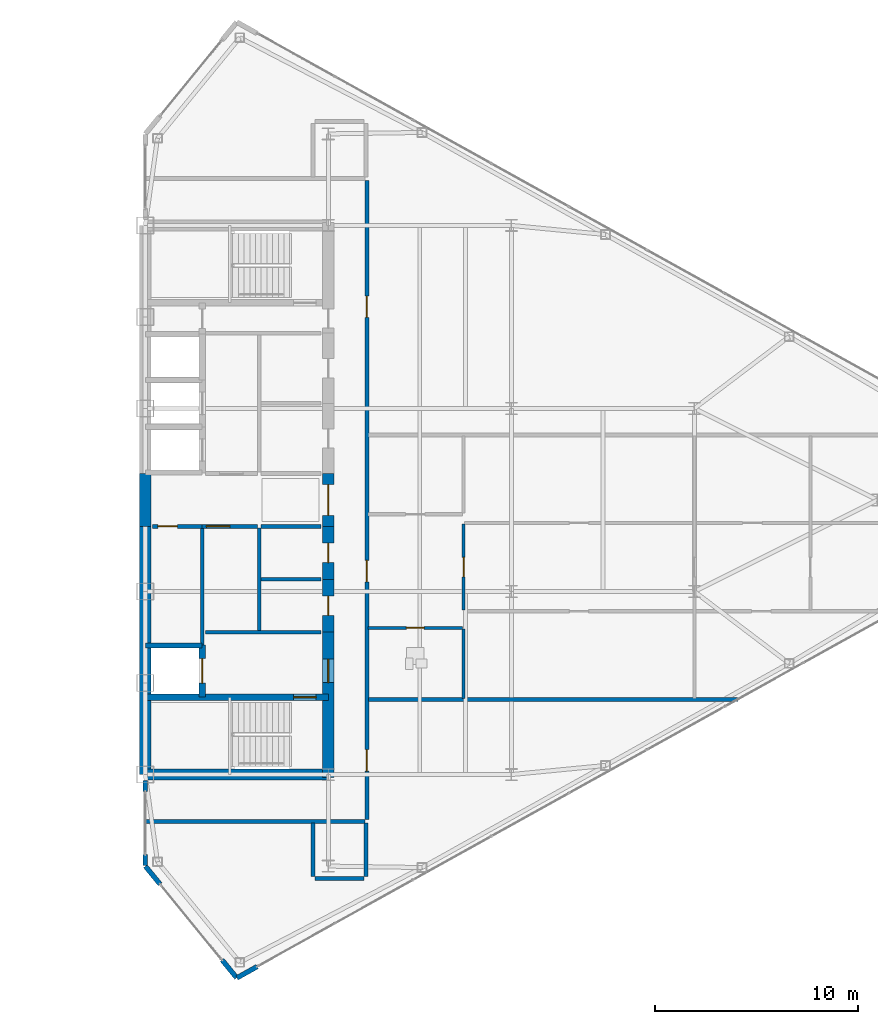
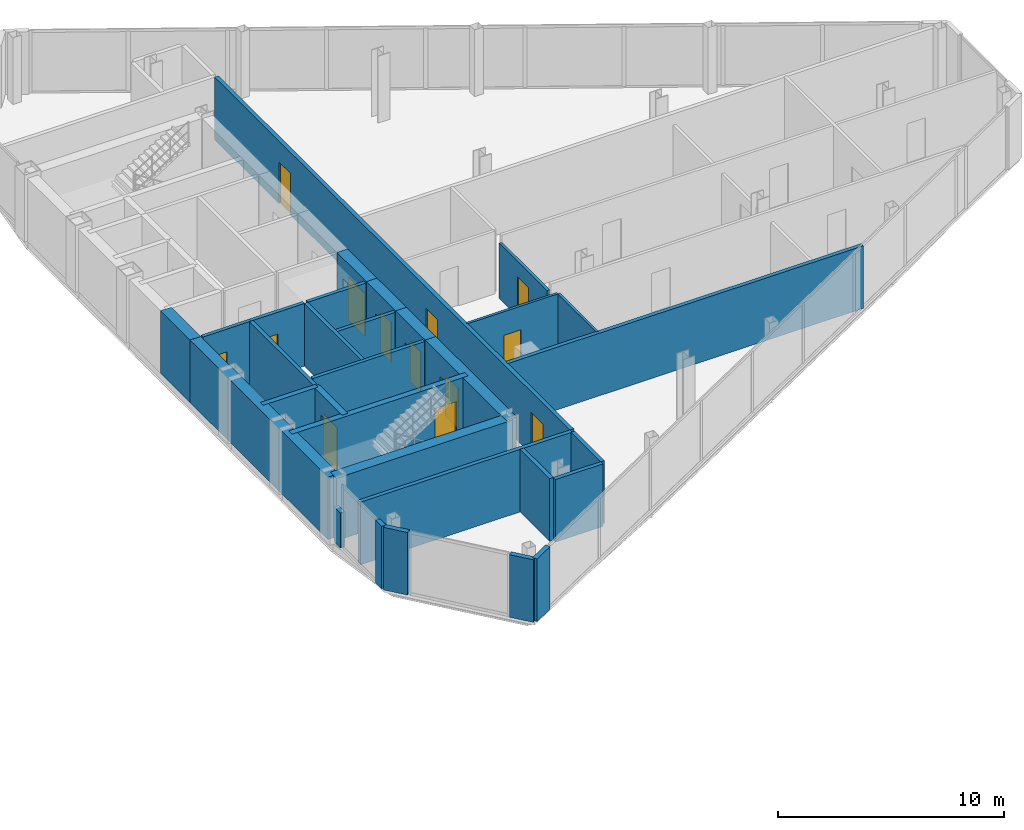
# One storey, part 21 of 26: 31 walls, 13 doors, 13 openings.
"""IFC4 building model written with IfcOpenShell, lengths in metres."""

from ifc_helpers import new_model, si_unit, direction, frame, frame_2d, origin, place, context, subcontext, project, spatial, rectangle, extrude, source, transform, mapped, material, layer, layer_set, type_object, type_shapes, element, fill, save


model = new_model("IFC4")

# Units and contexts
model_context = context("Model", 3, precision=1e-05, world=origin(), true_north=direction((0.0, 1.0)))
body_context = subcontext(model_context, "Body", "Model", "MODEL_VIEW")
ifc_project = project(units=[si_unit("LENGTHUNIT", "METRE"), si_unit("AREAUNIT", "SQUARE_METRE"), si_unit("VOLUMEUNIT", "CUBIC_METRE"), si_unit("PLANEANGLEUNIT", "RADIAN"), si_unit("MASSUNIT", "GRAM", prefix="KILO")], contexts=[model_context])

# Site, building, storey
site_placement = place(None, origin())
site = spatial("IfcSite", under=ifc_project, at=site_placement, CompositionType="ELEMENT")
building_placement = place(site_placement, origin())
building = spatial("IfcBuilding", under=site, at=building_placement, Name="Seokmaru Belvedere", CompositionType="ELEMENT")
storey_placement = place(building_placement, frame((0.0, 0.0, 192.300048828125)))
storey = spatial("IfcBuildingStorey", under=building, at=storey_placement, Name="L51", CompositionType="ELEMENT", Elevation=192.300048828125)

# Wall, opening, door
ifc_material_1 = material(Name="Fire-Rated Gypsum Shaftwall")
ifc_layer_1 = layer(ifc_material_1, 0.14990234375)
ifc_layer_set_1 = layer_set([ifc_layer_1], Name="Fire-Rated Gypsum Shaftwall")
wall_type_1 = type_object("IfcWallType", Name="Apartment Fire-Acoustic Room Partition 150", PredefinedType="PARTITIONING", material=ifc_layer_set_1)
wall_1_placement = place(storey_placement, frame((43.14990234375, -5.4169921875, 0.0), z_axis=(0.0, 0.0, 1.0), x_axis=(0.0, 1.0, 0.0)))
wall_1 = element("IfcWall", 1, at=wall_1_placement, inside=storey, type_object=wall_type_1, Name="L51 Interior Partition 036", PredefinedType="PARTITIONING", context=body_context, shape_type="SweptSolid", body=[
    extrude(rectangle(XDim=4.23388671875, YDim=0.14990234375, at=frame_2d((2.116943359375, 0.0))), origin(), (0.0, 0.0, 1.0), 2.989990234375),
])
opening_1_placement = place(wall_1_placement, frame((1.64208984375, 0.0, 0.0)))
opening_1 = element("IfcOpeningElement", 2, at=opening_1_placement, cuts=wall_1, Name="Opening D05", PredefinedType="OPENING", context=body_context, shape_type="SweptSolid", body=[
    extrude(rectangle(XDim=0.949951171875, YDim=2.14990234375, at=frame_2d((0.47509765625, 1.074951171875))), frame((0.0, 0.0849609375, 0.0), z_axis=(0.0, -1.0, 0.0), x_axis=(1.0, 0.0, 0.0)), (0.0, 0.0, 1.0), 0.169921875),
])
ifc_material_2 = material(Name="Engineered White Oak Timber", Category="wood")
door_type_1 = type_object("IfcDoorType", Name="Apartment Interior Fire-Rated Oak Door 950x2150", OperationType="NOTDEFINED", PredefinedType="DOOR", material=ifc_material_2)
shared_shape_1 = source(origin(), body_context, "Body", "SweptSolid", [
    extrude(rectangle(XDim=0.949951171875, YDim=2.14990234375, at=frame_2d((0.47509765625, 1.074951171875))), frame((0.0, 0.02490234375, 0.0), z_axis=(0.0, -1.0, 0.0), x_axis=(1.0, 0.0, 0.0)), (0.0, 0.0, 1.0), 0.050048828125),
])
type_shapes(door_type_1, [shared_shape_1])
door_1_placement = place(opening_1_placement, origin())
door_1 = element("IfcDoor", 3, at=door_1_placement, inside=storey, type_object=door_type_1, Name="L51 Interior Door 017", OperationType="SINGLE_SWING_LEFT", OverallHeight=2.14990234375, OverallWidth=0.949951171875, PredefinedType="DOOR", context=body_context, shape_type="MappedRepresentation", body=[
    mapped(shared_shape_1, transform((0.0, 0.0, 0.0), scale=1.0)),
])
fill(opening_1, door_1)

# Walls
ifc_layer_2 = layer(ifc_material_1, 0.179931640625)
ifc_layer_set_2 = layer_set([ifc_layer_2], Name="Fire-Rated Gypsum Shaftwall")
wall_type_2 = type_object("IfcWallType", Name="Core Service Fire Partition 180", PredefinedType="PARTITIONING", material=ifc_layer_set_2)
wall_2_placement = place(storey_placement, frame((30.449951171875, -6.5, 0.0), z_axis=(0.0, 0.0, 1.0), x_axis=(1.0, 0.0, 0.0)))
element("IfcWall", 4, at=wall_2_placement, inside=storey, type_object=wall_type_2, Name="L51 East Firefighting Lobby Partition", PredefinedType="PARTITIONING", context=body_context, shape_type="SweptSolid", body=[
    extrude(rectangle(XDim=5.699951171875, YDim=0.179931640625, at=frame_2d((2.85009765625, 0.0))), origin(), (0.0, 0.0, 1.0), 3.3798828125),
])
wall_3_placement = place(storey_placement, frame((33.10009765625, -6.419921875, 0.0), z_axis=(0.0, 0.0, 1.0), x_axis=(0.0, 1.0, 0.0)))
element("IfcWall", 5, at=wall_3_placement, inside=storey, type_object=wall_type_2, Name="L51 East South Core Service Back Wall", PredefinedType="PARTITIONING", context=body_context, shape_type="SweptSolid", body=[
    extrude(rectangle(XDim=5.0400390625, YDim=0.179931640625, at=frame_2d((2.52001953125, 0.0))), origin(), (0.0, 0.0, 1.0), 3.3798828125),
])

# Wall, opening, door
wall_4_placement = place(storey_placement, frame((27.85009765625, -1.300048828125, 0.0), z_axis=(0.0, 0.0, 1.0), x_axis=(1.0, 0.0, 0.0)))
wall_4 = element("IfcWall", 6, at=wall_4_placement, inside=storey, type_object=wall_type_2, Name="L51 East South Parcel Vault Foyer Wall", PredefinedType="PARTITIONING", context=body_context, shape_type="SweptSolid", body=[
    extrude(rectangle(XDim=2.449951171875, YDim=0.179931640625, at=frame_2d((1.22509765625, 0.0))), origin(), (0.0, 0.0, 1.0), 3.3798828125),
])
opening_2_placement = place(wall_4_placement, frame((0.27490234375, 0.0, 0.0)))
opening_2 = element("IfcOpeningElement", 7, at=opening_2_placement, cuts=wall_4, Name="Opening D04", PredefinedType="OPENING", context=body_context, shape_type="SweptSolid", body=[
    extrude(rectangle(XDim=0.949951171875, YDim=2.14990234375, at=frame_2d((0.47509765625, 1.074951171875))), frame((0.0, 0.10009765625, 0.0), z_axis=(0.0, -1.0, 0.0), x_axis=(1.0, 0.0, 0.0)), (0.0, 0.0, 1.0), 0.199951171875),
])
ifc_material_3 = material(Name="Fire-Rated Steel Leaf", Category="steel")
door_type_2 = type_object("IfcDoorType", Name="Core Service Room Fire Door 950x2150", OperationType="NOTDEFINED", PredefinedType="DOOR", material=ifc_material_3)
shared_shape_2 = source(origin(), body_context, "Body", "SweptSolid", [
    extrude(rectangle(XDim=0.949951171875, YDim=2.14990234375, at=frame_2d((0.47509765625, 1.074951171875))), frame((0.0, 0.02490234375, 0.0), z_axis=(0.0, -1.0, 0.0), x_axis=(1.0, 0.0, 0.0)), (0.0, 0.0, 1.0), 0.050048828125),
])
type_shapes(door_type_2, [shared_shape_2])
door_2_placement = place(opening_2_placement, origin())
door_2 = element("IfcDoor", 8, at=door_2_placement, inside=storey, type_object=door_type_2, Name="L51 East South Parcel Vault Door", OperationType="SINGLE_SWING_RIGHT", OverallHeight=2.14990234375, OverallWidth=0.949951171875, PredefinedType="DOOR", context=body_context, shape_type="MappedRepresentation", body=[
    mapped(shared_shape_2, transform((0.0, 0.0, 0.0), scale=1.0)),
])
fill(opening_2, door_2)

wall_5_placement = place(storey_placement, frame((30.300048828125, -1.300048828125, 0.0), z_axis=(0.0, 0.0, 1.0), x_axis=(1.0, 0.0, 0.0)))
wall_5 = element("IfcWall", 9, at=wall_5_placement, inside=storey, type_object=wall_type_2, Name="L51 East South Wine Cellar Foyer Wall", PredefinedType="PARTITIONING", context=body_context, shape_type="SweptSolid", body=[
    extrude(rectangle(XDim=2.719970703125, YDim=0.179931640625, at=frame_2d((1.35986328125, 0.0))), origin(), (0.0, 0.0, 1.0), 3.3798828125),
])
opening_3_placement = place(wall_5_placement, frame((0.2099609375, 0.0, 0.0)))
opening_3 = element("IfcOpeningElement", 10, at=opening_3_placement, cuts=wall_5, Name="Opening D02", PredefinedType="OPENING", context=body_context, shape_type="SweptSolid", body=[
    extrude(rectangle(XDim=1.14990234375, YDim=2.199951171875, at=frame_2d((0.574951171875, 1.10009765625))), frame((0.0, 0.10009765625, 0.0), z_axis=(0.0, -1.0, 0.0), x_axis=(1.0, 0.0, 0.0)), (0.0, 0.0, 1.0), 0.199951171875),
])
door_type_3 = type_object("IfcDoorType", Name="Lobby and Vestibule Fire Door 1150x2200", OperationType="NOTDEFINED", PredefinedType="DOOR", material=ifc_material_3)
shared_shape_3 = source(origin(), body_context, "Body", "SweptSolid", [
    extrude(rectangle(XDim=1.14990234375, YDim=2.199951171875, at=frame_2d((0.574951171875, 1.10009765625))), frame((0.0, 0.02490234375, 0.0), z_axis=(0.0, -1.0, 0.0), x_axis=(1.0, 0.0, 0.0)), (0.0, 0.0, 1.0), 0.050048828125),
])
type_shapes(door_type_3, [shared_shape_3])
door_3_placement = place(opening_3_placement, origin())
door_3 = element("IfcDoor", 11, at=door_3_placement, inside=storey, type_object=door_type_3, Name="L51 East South Core Foyer Door", OperationType="SINGLE_SWING_RIGHT", OverallHeight=2.199951171875, OverallWidth=1.14990234375, PredefinedType="DOOR", context=body_context, shape_type="MappedRepresentation", body=[
    mapped(shared_shape_3, transform((0.0, 0.0, 0.0), scale=1.0)),
])
fill(opening_3, door_3)

# Walls
wall_6_placement = place(storey_placement, frame((30.300048828125, -7.1201171875, 0.0), z_axis=(0.0, 0.0, 1.0), x_axis=(0.0, 1.0, 0.0)))
element("IfcWall", 12, at=wall_6_placement, inside=storey, type_object=wall_type_2, Name="L51 East Freed Shaft Vault Partition", PredefinedType="PARTITIONING", context=body_context, shape_type="SweptSolid", body=[
    extrude(rectangle(XDim=5.740234375, YDim=0.179931640625, at=frame_2d((2.8701171875, 0.0))), origin(), (0.0, 0.0, 1.0), 3.3798828125),
])
for number, where, z_axis, x_axis, name in (
    (13, (33.199951171875, -1.300048828125, 0.0), (0.0, 0.0, 1.0), (1.0, 0.0, 0.0), "L51 East Foyer Side Wall S"),
    (14, (33.199951171875, -3.89990234375, 0.0), (0.0, 0.0, 1.0), (1.0, 0.0, 0.0), "L51 East Core Service Partition 1"),
):
    element("IfcWall", number, at=place(storey_placement, frame(where, z_axis=z_axis, x_axis=x_axis)), inside=storey, type_object=wall_type_2, Name=name, PredefinedType="PARTITIONING", context=body_context, shape_type="SweptSolid", body=[
        extrude(rectangle(XDim=2.949951171875, YDim=0.179931640625, at=frame_2d((1.47509765625, 0.0))), origin(), (0.0, 0.0, 1.0), 3.3798828125),
    ])
ifc_material_4 = material(Name="Concrete C50 (50 MPa)", Category="concrete")
ifc_layer_3 = layer(ifc_material_4, 0.25)
ifc_layer_set_3 = layer_set([ifc_layer_3], Name="Concrete C50 (50 MPa)")
wall_type_3 = type_object("IfcWallType", Name="Hoistway Transverse Concrete Divider Wall 250", PredefinedType="SHEAR", material=ifc_layer_set_3)
wall_7_placement = place(storey_placement, frame((27.5, -7.14990234375, 0.0), z_axis=(0.0, 0.0, 1.0), x_axis=(1.0, 0.0, 0.0)))
element("IfcWall", 15, at=wall_7_placement, inside=storey, type_object=wall_type_3, Name="L51 East Hoistway Divider Core Wall 1", PredefinedType="SHEAR", context=body_context, shape_type="SweptSolid", body=[
    extrude(rectangle(XDim=2.800048828125, YDim=0.25, at=frame_2d((1.39990234375, 0.0))), origin(), (0.0, 0.0, 1.0), 3.3798828125),
])
ifc_layer_4 = layer(ifc_material_1, 0.199951171875)
ifc_layer_set_4 = layer_set([ifc_layer_4], Name="Fire-Rated Gypsum Shaftwall")
wall_type_4 = type_object("IfcWallType", Name="Inter-Tenancy Fire Compartment Partition 200", PredefinedType="PARTITIONING", material=ifc_layer_set_4)
wall_8_placement = place(storey_placement, frame((35.8349609375, -18.60009765625, 0.0), z_axis=(0.0, 0.0, 1.0), x_axis=(1.0, 0.0, 0.0)))
element("IfcWall", 16, at=wall_8_placement, inside=storey, type_object=wall_type_4, Name="L51 Interior Partition 002", PredefinedType="PARTITIONING", context=body_context, shape_type="SweptSolid", body=[
    extrude(rectangle(XDim=2.429931640625, YDim=0.199951171875, at=frame_2d((1.21484375, 0.0))), origin(), (0.0, 0.0, 1.0), 3.3798828125),
])
wall_9_placement = place(storey_placement, frame((27.5, -15.800048828125, 0.0), z_axis=(0.0, 0.0, 1.0), x_axis=(1.0, 0.0, 0.0)))
element("IfcWall", 17, at=wall_9_placement, inside=storey, type_object=wall_type_4, Name="L51 Interior Partition 004", PredefinedType="PARTITIONING", context=body_context, shape_type="SweptSolid", body=[
    extrude(rectangle(XDim=10.81494140625, YDim=0.199951171875, at=frame_2d((5.407470703125, 0.0))), origin(), (0.0, 0.0, 1.0), 3.3798828125),
])
wall_10_placement = place(storey_placement, frame((38.47998046875, -9.800048828125, 0.0), z_axis=(0.0, 0.0, 1.0), x_axis=(1.0, 0.0, 0.0)))
element("IfcWall", 18, at=wall_10_placement, inside=storey, type_object=wall_type_4, Name="L51 Interior Partition 005", PredefinedType="PARTITIONING", context=body_context, shape_type="SweptSolid", body=[
    extrude(rectangle(XDim=18.1630859375, YDim=0.199951171875, at=frame_2d((9.08154296875, 0.0))), origin(), (0.0, 0.0, 1.0), 3.3798828125),
])
for number, where, z_axis, x_axis, name in (
    (19, (35.75, -18.514892578125, 0.0), (0.0, 0.0, 1.0), (0.0, 1.0, 0.0), "L51 Interior Partition 030"),
    (20, (38.35009765625, -18.514892578125, 0.0), (0.0, 0.0, 1.0), (0.0, 1.0, 0.0), "L51 Interior Partition 032"),
):
    element("IfcWall", number, at=place(storey_placement, frame(where, z_axis=z_axis, x_axis=x_axis)), inside=storey, type_object=wall_type_4, Name=name, PredefinedType="PARTITIONING", context=body_context, shape_type="SweptSolid", body=[
        extrude(rectangle(XDim=2.6298828125, YDim=0.199951171875, at=frame_2d((1.31494140625, 0.0))), origin(), (0.0, 0.0, 1.0), 3.3798828125),
    ])

# Wall, openings, doors
wall_11_placement = place(storey_placement, frame((38.39990234375, -15.715087890625, 0.0), z_axis=(0.0, 0.0, 1.0), x_axis=(0.0, 1.0, 0.0)))
wall_11 = element("IfcWall", 21, at=wall_11_placement, inside=storey, type_object=wall_type_4, Name="L51 Interior Partition 034", PredefinedType="PARTITIONING", context=body_context, shape_type="SweptSolid", body=[
    extrude(rectangle(XDim=31.43017578125, YDim=0.199951171875, at=frame_2d((15.715087890625, 0.0))), origin(), (0.0, 0.0, 1.0), 3.3798828125),
])
opening_4_placement = place(wall_11_placement, frame((2.389892578125, 0.0, 0.0)))
opening_4 = element("IfcOpeningElement", 22, at=opening_4_placement, cuts=wall_11, Name="Opening D03", PredefinedType="OPENING", context=body_context, shape_type="SweptSolid", body=[
    extrude(rectangle(XDim=1.050048828125, YDim=2.25, at=frame_2d((0.52490234375, 1.125))), frame((0.0, 0.10986328125, 0.0), z_axis=(0.0, -1.0, 0.0), x_axis=(1.0, 0.0, 0.0)), (0.0, 0.0, 1.0), 0.219970703125),
])
opening_5_placement = place(wall_11_placement, frame((11.695068359375, 0.0, 0.0)))
opening_5 = element("IfcOpeningElement", 23, at=opening_5_placement, cuts=wall_11, Name="Opening D03", PredefinedType="OPENING", context=body_context, shape_type="SweptSolid", body=[
    extrude(rectangle(XDim=1.050048828125, YDim=2.25, at=frame_2d((0.52490234375, 1.125))), frame((0.0, 0.10986328125, 0.0), z_axis=(0.0, -1.0, 0.0), x_axis=(1.0, 0.0, 0.0)), (0.0, 0.0, 1.0), 0.219970703125),
])
opening_6_placement = place(wall_11_placement, frame((24.68994140625, 0.0, 0.0)))
opening_6 = element("IfcOpeningElement", 24, at=opening_6_placement, cuts=wall_11, Name="Opening D03", PredefinedType="OPENING", context=body_context, shape_type="SweptSolid", body=[
    extrude(rectangle(XDim=1.050048828125, YDim=2.25, at=frame_2d((0.52490234375, 1.125))), frame((0.0, 0.10986328125, 0.0), z_axis=(0.0, -1.0, 0.0), x_axis=(1.0, 0.0, 0.0)), (0.0, 0.0, 1.0), 0.219970703125),
])
door_type_4 = type_object("IfcDoorType", Name="Apartment Entrance Fire Door 1050x2250", OperationType="NOTDEFINED", PredefinedType="DOOR", material=ifc_material_3)
shared_shape_4 = source(origin(), body_context, "Body", "SweptSolid", [
    extrude(rectangle(XDim=1.050048828125, YDim=2.25, at=frame_2d((0.52490234375, 1.125))), frame((0.0, 0.02490234375, 0.0), z_axis=(0.0, -1.0, 0.0), x_axis=(1.0, 0.0, 0.0)), (0.0, 0.0, 1.0), 0.050048828125),
])
type_shapes(door_type_4, [shared_shape_4])
door_4_placement = place(opening_4_placement, origin())
door_4 = element("IfcDoor", 25, at=door_4_placement, inside=storey, type_object=door_type_4, Name="L51 Interior Door 013", OperationType="SINGLE_SWING_LEFT", OverallHeight=2.25, OverallWidth=1.050048828125, PredefinedType="DOOR", context=body_context, shape_type="MappedRepresentation", body=[
    mapped(shared_shape_4, transform((0.0, 0.0, 0.0), scale=1.0)),
])
fill(opening_4, door_4)
door_5_placement = place(opening_5_placement, origin())
door_5 = element("IfcDoor", 26, at=door_5_placement, inside=storey, type_object=door_type_4, Name="L51 Interior Door 014", OperationType="SINGLE_SWING_RIGHT", OverallHeight=2.25, OverallWidth=1.050048828125, PredefinedType="DOOR", context=body_context, shape_type="MappedRepresentation", body=[
    mapped(shared_shape_4, transform((0.0, 0.0, 0.0), scale=1.0)),
])
fill(opening_5, door_5)
door_6_placement = place(opening_6_placement, origin())
door_6 = element("IfcDoor", 27, at=door_6_placement, inside=storey, type_object=door_type_4, Name="L51 Interior Door 025", OperationType="SINGLE_SWING_LEFT", OverallHeight=2.25, OverallWidth=1.050048828125, PredefinedType="DOOR", context=body_context, shape_type="MappedRepresentation", body=[
    mapped(shared_shape_4, transform((0.0, 0.0, 0.0), scale=1.0)),
])
fill(opening_6, door_6)

# Wall, opening, door
ifc_layer_5 = layer(ifc_material_4, 0.300048828125)
ifc_layer_set_5 = layer_set([ifc_layer_5], Name="Concrete C50 (50 MPa)")
wall_type_5 = type_object("IfcWallType", Name="Internal Core Stair and Hoistway Wall 300", PredefinedType="SHEAR", material=ifc_layer_set_5)
wall_12_placement = place(storey_placement, frame((27.5, -9.699951171875, 0.0), z_axis=(0.0, 0.0, 1.0), x_axis=(1.0, 0.0, 0.0)))
wall_12 = element("IfcWall", 28, at=wall_12_placement, inside=storey, type_object=wall_type_5, Name="L51 East Stair ST-1 Enclosure Wall", PredefinedType="SHEAR", context=body_context, shape_type="SweptSolid", body=[
    extrude(rectangle(XDim=9.0, YDim=0.300048828125, at=frame_2d((4.5, 0.0))), origin(), (0.0, 0.0, 1.0), 3.3798828125),
])
opening_7_placement = place(wall_12_placement, frame((7.300048828125, 0.0, 0.0)))
opening_7 = element("IfcOpeningElement", 29, at=opening_7_placement, cuts=wall_12, Name="Opening D01", PredefinedType="OPENING", context=body_context, shape_type="SweptSolid", body=[
    extrude(rectangle(XDim=1.10009765625, YDim=2.199951171875, at=frame_2d((0.550048828125, 1.10009765625))), frame((0.0, 0.16015625, 0.0), z_axis=(0.0, -1.0, 0.0), x_axis=(1.0, 0.0, 0.0)), (0.0, 0.0, 1.0), 0.320068359375),
])
door_type_5 = type_object("IfcDoorType", Name="Special Escape Stair Smokeproof Fire Door 1100x2200", OperationType="NOTDEFINED", PredefinedType="DOOR", material=ifc_material_3)
shared_shape_5 = source(origin(), body_context, "Body", "SweptSolid", [
    extrude(rectangle(XDim=1.10009765625, YDim=2.199951171875, at=frame_2d((0.550048828125, 1.10009765625))), frame((0.0, 0.02490234375, 0.0), z_axis=(0.0, -1.0, 0.0), x_axis=(1.0, 0.0, 0.0)), (0.0, 0.0, 1.0), 0.050048828125),
])
type_shapes(door_type_5, [shared_shape_5])
door_7_placement = place(opening_7_placement, frame((1.10009765625, 0.0, 0.0), z_axis=(0.0, 0.0, 1.0), x_axis=(-1.0, 0.0, 0.0)))
door_7 = element("IfcDoor", 30, at=door_7_placement, inside=storey, type_object=door_type_5, Name="L51 East Special Escape Stair ST-1 Door", OperationType="SINGLE_SWING_RIGHT", OverallHeight=2.199951171875, OverallWidth=1.10009765625, PredefinedType="DOOR", context=body_context, shape_type="MappedRepresentation", body=[
    mapped(shared_shape_5, transform((0.0, 0.0, 0.0), scale=1.0)),
])
fill(opening_7, door_7)

wall_13_placement = place(storey_placement, frame((30.300048828125, -9.679931640625, 0.0), z_axis=(0.0, 0.0, 1.0), x_axis=(0.0, 1.0, 0.0)))
wall_13 = element("IfcWall", 31, at=wall_13_placement, inside=storey, type_object=wall_type_5, Name="L51 East Firefighting Lift Shaft Front Wall", PredefinedType="SHEAR", context=body_context, shape_type="SweptSolid", body=[
    extrude(rectangle(XDim=2.559814453125, YDim=0.300048828125, at=frame_2d((1.27978515625, 0.0))), origin(), (0.0, 0.0, 1.0), 3.3798828125),
])
opening_8_placement = place(wall_13_placement, frame((0.679931640625, 0.0, 0.0)))
opening_8 = element("IfcOpeningElement", 32, at=opening_8_placement, cuts=wall_13, Name="Opening LD2", PredefinedType="OPENING", context=body_context, shape_type="SweptSolid", body=[
    extrude(rectangle(XDim=1.199951171875, YDim=2.25, at=frame_2d((0.60009765625, 1.125))), frame((0.0, 0.16015625, 0.0), z_axis=(0.0, -1.0, 0.0), x_axis=(1.0, 0.0, 0.0)), (0.0, 0.0, 1.0), 0.320068359375),
])
ifc_material_5 = material(Name="Stainless Steel 316", Category="steel")
door_type_6 = type_object("IfcDoorType", Name="Firefighting Lift Sliding Landing Door 1200x2250", OperationType="DOUBLE_DOOR_SLIDING", PredefinedType="DOOR", material=ifc_material_5)
shared_shape_6 = source(origin(), body_context, "Body", "SweptSolid", [
    extrude(rectangle(XDim=1.199951171875, YDim=2.25, at=frame_2d((0.60009765625, 1.125))), frame((0.0, 0.02490234375, 0.0), z_axis=(0.0, -1.0, 0.0), x_axis=(1.0, 0.0, 0.0)), (0.0, 0.0, 1.0), 0.050048828125),
])
type_shapes(door_type_6, [shared_shape_6])
door_8_placement = place(opening_8_placement, origin())
door_8 = element("IfcDoor", 33, at=door_8_placement, inside=storey, type_object=door_type_6, Name="L51 East Firefighting Lift Landing Door", OperationType="DOUBLE_DOOR_SLIDING", OverallHeight=2.25, OverallWidth=1.199951171875, PredefinedType="DOOR", context=body_context, shape_type="MappedRepresentation", body=[
    mapped(shared_shape_6, transform((0.0, 0.0, 0.0), scale=1.0)),
])
fill(opening_8, door_8)

# Walls
ifc_layer_6 = layer(ifc_material_4, 0.550048828125)
ifc_layer_set_6 = layer_set([ifc_layer_6], Name="Concrete C50 (50 MPa)")
wall_type_6 = type_object("IfcWallType", Name="Mid-High Reinforced Concrete Core Wall 550", PredefinedType="SHEAR", material=ifc_layer_set_6)
wall_14_placement = place(storey_placement, frame((27.5, -13.5, 0.0), z_axis=(0.0, 0.0, 1.0), x_axis=(0.0, 1.0, 0.0)))
element("IfcWall", 34, at=wall_14_placement, inside=storey, type_object=wall_type_6, Name="L51 East Portal Spine Core Wall South", PredefinedType="SHEAR", context=body_context, shape_type="SweptSolid", body=[
    extrude(rectangle(XDim=12.199951171875, YDim=0.550048828125, at=frame_2d((6.10009765625, 0.0))), origin(), (0.0, 0.0, 1.0), 3.3798828125),
])
wall_15_placement = place(storey_placement, frame((27.5, -1.300048828125, 0.0), z_axis=(0.0, 0.0, 1.0), x_axis=(0.0, 1.0, 0.0)))
element("IfcWall", 35, at=wall_15_placement, inside=storey, type_object=wall_type_6, Name="L51 East Portal Spine Core Wall Center", PredefinedType="SHEAR", context=body_context, shape_type="SweptSolid", body=[
    extrude(rectangle(XDim=2.60009765625, YDim=0.550048828125, at=frame_2d((1.300048828125, 0.0))), origin(), (0.0, 0.0, 1.0), 3.3798828125),
])
wall_16_placement = place(storey_placement, frame((27.5, -13.5, 0.0), z_axis=(0.0, 0.0, 1.0), x_axis=(1.0, 0.0, 0.0)))
element("IfcWall", 36, at=wall_16_placement, inside=storey, type_object=wall_type_6, Name="L51 East South Core Wall", PredefinedType="SHEAR", context=body_context, shape_type="SweptSolid", body=[
    extrude(rectangle(XDim=9.0, YDim=0.550048828125, at=frame_2d((4.5, 0.0))), origin(), (0.0, 0.0, 1.0), 3.3798828125),
])

# Wall, opening, door
wall_17_placement = place(storey_placement, frame((36.5, -13.64990234375, 0.0), z_axis=(0.0, 0.0, 1.0), x_axis=(0.0, 1.0, 0.0)))
wall_17 = element("IfcWall", 37, at=wall_17_placement, inside=storey, type_object=wall_type_6, Name="L51 East West Core Wall FF", PredefinedType="SHEAR", context=body_context, shape_type="SweptSolid", body=[
    extrude(rectangle(XDim=7.14990234375, YDim=0.550048828125, at=frame_2d((3.574951171875, 0.0))), origin(), (0.0, 0.0, 1.0), 3.3798828125),
])
opening_9_placement = place(wall_17_placement, frame((4.675048828125, 0.0, 0.0)))
opening_9 = element("IfcOpeningElement", 38, at=opening_9_placement, cuts=wall_17, Name="Opening D02", PredefinedType="OPENING", context=body_context, shape_type="SweptSolid", body=[
    extrude(rectangle(XDim=1.14990234375, YDim=2.199951171875, at=frame_2d((0.574951171875, 1.10009765625))), frame((0.0, 0.28515625, 0.0), z_axis=(0.0, -1.0, 0.0), x_axis=(1.0, 0.0, 0.0)), (0.0, 0.0, 1.0), 0.570068359375),
])
door_9_placement = place(opening_9_placement, origin())
door_9 = element("IfcDoor", 39, at=door_9_placement, inside=storey, type_object=door_type_3, Name="L51 East Firefighting Lobby Door", OperationType="SINGLE_SWING_RIGHT", OverallHeight=2.199951171875, OverallWidth=1.14990234375, PredefinedType="DOOR", context=body_context, shape_type="MappedRepresentation", body=[
    mapped(shared_shape_3, transform((0.0, 0.0, 0.0), scale=1.0)),
])
fill(opening_9, door_9)

wall_18_placement = place(storey_placement, frame((36.5, -1.300048828125, 0.0), z_axis=(0.0, 0.0, 1.0), x_axis=(0.0, 1.0, 0.0)))
wall_18 = element("IfcWall", 40, at=wall_18_placement, inside=storey, type_object=wall_type_6, Name="L51 East West Core Wall FOY", PredefinedType="SHEAR", context=body_context, shape_type="SweptSolid", body=[
    extrude(rectangle(XDim=2.60009765625, YDim=0.550048828125, at=frame_2d((1.300048828125, 0.0))), origin(), (0.0, 0.0, 1.0), 3.3798828125),
])
opening_10_placement = place(wall_18_placement, frame((0.550048828125, 0.0, 0.0)))
opening_10 = element("IfcOpeningElement", 41, at=opening_10_placement, cuts=wall_18, Name="Opening D08", PredefinedType="OPENING", context=body_context, shape_type="SweptSolid", body=[
    extrude(rectangle(XDim=1.5, YDim=2.300048828125, at=frame_2d((0.75, 1.14990234375))), frame((0.0, 0.28515625, 0.0), z_axis=(0.0, -1.0, 0.0), x_axis=(1.0, 0.0, 0.0)), (0.0, 0.0, 1.0), 0.570068359375),
])
door_type_7 = type_object("IfcDoorType", Name="Cross-Corridor Compartment Double Fire Door 1500x2300", OperationType="DOUBLE_SWING_LEFT", PredefinedType="DOOR", material=ifc_material_3)
shared_shape_7 = source(origin(), body_context, "Body", "SweptSolid", [
    extrude(rectangle(XDim=1.5, YDim=2.300048828125, at=frame_2d((0.75, 1.14990234375))), frame((0.0, 0.02490234375, 0.0), z_axis=(0.0, -1.0, 0.0), x_axis=(1.0, 0.0, 0.0)), (0.0, 0.0, 1.0), 0.050048828125),
])
type_shapes(door_type_7, [shared_shape_7])
door_10_placement = place(opening_10_placement, origin())
door_10 = element("IfcDoor", 42, at=door_10_placement, inside=storey, type_object=door_type_7, Name="L51 East Core Foyer Compartment Door", OperationType="DOUBLE_SWING_LEFT", OverallHeight=2.300048828125, OverallWidth=1.5, PredefinedType="DOOR", context=body_context, shape_type="MappedRepresentation", body=[
    mapped(shared_shape_7, transform((0.0, 0.0, 0.0), scale=1.0)),
])
fill(opening_10, door_10)

wall_19_placement = place(storey_placement, frame((36.5, -6.5, 0.0), z_axis=(0.0, 0.0, 1.0), x_axis=(0.0, 1.0, 0.0)))
wall_19 = element("IfcWall", 43, at=wall_19_placement, inside=storey, type_object=wall_type_6, Name="L51 East West Core Wall CS1", PredefinedType="SHEAR", context=body_context, shape_type="SweptSolid", body=[
    extrude(rectangle(XDim=2.60009765625, YDim=0.550048828125, at=frame_2d((1.300048828125, 0.0))), origin(), (0.0, 0.0, 1.0), 3.3798828125),
])
opening_11_placement = place(wall_19_placement, frame((0.824951171875, 0.0, 0.0)))
opening_11 = element("IfcOpeningElement", 44, at=opening_11_placement, cuts=wall_19, Name="Opening D04", PredefinedType="OPENING", context=body_context, shape_type="SweptSolid", body=[
    extrude(rectangle(XDim=0.949951171875, YDim=2.14990234375, at=frame_2d((0.47509765625, 1.074951171875))), frame((0.0, 0.28515625, 0.0), z_axis=(0.0, -1.0, 0.0), x_axis=(1.0, 0.0, 0.0)), (0.0, 0.0, 1.0), 0.570068359375),
])
door_11_placement = place(opening_11_placement, origin())
door_11 = element("IfcDoor", 45, at=door_11_placement, inside=storey, type_object=door_type_2, Name="L51 East Core Service Room Door 1", OperationType="SINGLE_SWING_RIGHT", OverallHeight=2.14990234375, OverallWidth=0.949951171875, PredefinedType="DOOR", context=body_context, shape_type="MappedRepresentation", body=[
    mapped(shared_shape_2, transform((0.0, 0.0, 0.0), scale=1.0)),
])
fill(opening_11, door_11)

wall_20_placement = place(storey_placement, frame((36.5, -3.89990234375, 0.0), z_axis=(0.0, 0.0, 1.0), x_axis=(0.0, 1.0, 0.0)))
wall_20 = element("IfcWall", 46, at=wall_20_placement, inside=storey, type_object=wall_type_6, Name="L51 East West Core Wall CS2", PredefinedType="SHEAR", context=body_context, shape_type="SweptSolid", body=[
    extrude(rectangle(XDim=2.599853515625, YDim=0.550048828125, at=frame_2d((1.2998046875, 0.0))), origin(), (0.0, 0.0, 1.0), 3.3798828125),
])
opening_12_placement = place(wall_20_placement, frame((0.824951171875, 0.0, 0.0)))
opening_12 = element("IfcOpeningElement", 47, at=opening_12_placement, cuts=wall_20, Name="Opening D04", PredefinedType="OPENING", context=body_context, shape_type="SweptSolid", body=[
    extrude(rectangle(XDim=0.949951171875, YDim=2.14990234375, at=frame_2d((0.47509765625, 1.074951171875))), frame((0.0, 0.28515625, 0.0), z_axis=(0.0, -1.0, 0.0), x_axis=(1.0, 0.0, 0.0)), (0.0, 0.0, 1.0), 0.570068359375),
])
door_12_placement = place(opening_12_placement, origin())
door_12 = element("IfcDoor", 48, at=door_12_placement, inside=storey, type_object=door_type_2, Name="L51 East Core Service Room Door 2", OperationType="SINGLE_SWING_LEFT", OverallHeight=2.14990234375, OverallWidth=0.949951171875, PredefinedType="DOOR", context=body_context, shape_type="MappedRepresentation", body=[
    mapped(shared_shape_2, transform((0.0, 0.0, 0.0), scale=1.0)),
])
fill(opening_12, door_12)

ifc_layer_7 = layer(ifc_material_1, 0.1298828125)
ifc_layer_set_7 = layer_set([ifc_layer_7], Name="Fire-Rated Gypsum Shaftwall")
wall_type_7 = type_object("IfcWallType", Name="Moisture-Resistant Fire-Rated Bathroom Partition 130", PredefinedType="PARTITIONING", material=ifc_layer_set_7)
wall_21_placement = place(storey_placement, frame((38.449951171875, -6.2900390625, 0.0), z_axis=(0.0, 0.0, 1.0), x_axis=(1.0, 0.0, 0.0)))
wall_21 = element("IfcWall", 49, at=wall_21_placement, inside=storey, type_object=wall_type_7, Name="L51 Interior Partition 007", PredefinedType="PARTITIONING", context=body_context, shape_type="SweptSolid", body=[
    extrude(rectangle(XDim=4.650146484375, YDim=0.1298828125, at=frame_2d((2.3251953125, 0.0))), origin(), (0.0, 0.0, 1.0), 3.3798828125),
])
opening_13_placement = place(wall_21_placement, frame((1.885009765625, 0.0, 0.0)))
opening_13 = element("IfcOpeningElement", 50, at=opening_13_placement, cuts=wall_21, Name="Opening D06", PredefinedType="OPENING", context=body_context, shape_type="SweptSolid", body=[
    extrude(rectangle(XDim=0.8798828125, YDim=2.10009765625, at=frame_2d((0.43994140625, 1.050048828125))), frame((0.0, 0.074951171875, 0.0), z_axis=(0.0, -1.0, 0.0), x_axis=(1.0, 0.0, 0.0)), (0.0, 0.0, 1.0), 0.14990234375),
])
door_type_8 = type_object("IfcDoorType", Name="Bathroom and Restroom Fire-Rated Door 880x2100", OperationType="NOTDEFINED", PredefinedType="DOOR", material=ifc_material_2)
shared_shape_8 = source(origin(), body_context, "Body", "SweptSolid", [
    extrude(rectangle(XDim=0.8798828125, YDim=2.10009765625, at=frame_2d((0.43994140625, 1.050048828125))), frame((0.0, 0.02490234375, 0.0), z_axis=(0.0, -1.0, 0.0), x_axis=(1.0, 0.0, 0.0)), (0.0, 0.0, 1.0), 0.050048828125),
])
type_shapes(door_type_8, [shared_shape_8])
door_13_placement = place(opening_13_placement, origin())
door_13 = element("IfcDoor", 51, at=door_13_placement, inside=storey, type_object=door_type_8, Name="L51 Interior Door 015", OperationType="SINGLE_SWING_RIGHT", OverallHeight=2.10009765625, OverallWidth=0.8798828125, PredefinedType="DOOR", context=body_context, shape_type="MappedRepresentation", body=[
    mapped(shared_shape_8, transform((0.0, 0.0, 0.0), scale=1.0)),
])
fill(opening_13, door_13)

# Walls
wall_22_placement = place(storey_placement, frame((43.14990234375, -9.75, 0.0), z_axis=(0.0, 0.0, 1.0), x_axis=(0.0, 1.0, 0.0)))
element("IfcWall", 52, at=wall_22_placement, inside=storey, type_object=wall_type_7, Name="L51 Interior Partition 035", PredefinedType="PARTITIONING", context=body_context, shape_type="SweptSolid", body=[
    extrude(rectangle(XDim=3.407958984375, YDim=0.1298828125, at=frame_2d((1.7041015625, 0.0))), origin(), (0.0, 0.0, 1.0), 3.3798828125),
])
ifc_material_6 = material(Name="Anodised Bronze Aluminium", Category="aluminium")
ifc_layer_8 = layer(ifc_material_6, 0.239990234375)
ifc_layer_set_8 = layer_set([ifc_layer_8], Name="Anodised Bronze Aluminium")
wall_type_8 = type_object("IfcWallType", Name="Tower Corner Spandrel Closure Wall 240", PredefinedType="SOLIDWALL", material=ifc_layer_set_8)
wall_23_placement = place(storey_placement, frame((32.0087890625, -23.4951171875, 0.0), z_axis=(0.0, 0.0, 1.0), x_axis=(0.87385402111, 0.486188389196, 0.0)))
element("IfcWall", 53, at=wall_23_placement, inside=storey, type_object=wall_type_8, Name="L51 E Corner Closure Pier 1A", PredefinedType="SOLIDWALL", context=body_context, shape_type="SweptSolid", body=[
    extrude(rectangle(XDim=1.139892578125, YDim=0.239990234375, at=frame_2d((0.56982421875, 0.0))), origin(), (0.0, 0.0, 1.0), 3.3798828125),
])
wall_24_placement = place(storey_placement, frame((27.5, -17.97998046875, 0.0), z_axis=(0.0, 0.0, 1.0), x_axis=(0.0, 1.0, 0.0)))
element("IfcWall", 54, at=wall_24_placement, inside=storey, type_object=wall_type_8, Name="L51 E Spine Closure Pier 1A", PredefinedType="SOLIDWALL", context=body_context, shape_type="SweptSolid", body=[
    extrude(rectangle(XDim=0.550048828125, YDim=0.239990234375, at=frame_2d((0.27490234375, 0.0))), origin(), (0.0, 0.0, 1.0), 3.3798828125),
])
wall_25_placement = place(storey_placement, frame((27.5, -14.330078125, 0.0), z_axis=(0.0, 0.0, 1.0), x_axis=(0.0, 1.0, 0.0)))
element("IfcWall", 55, at=wall_25_placement, inside=storey, type_object=wall_type_8, Name="L51 E Spine Closure Pier 1B", PredefinedType="SOLIDWALL", context=body_context, shape_type="SweptSolid", body=[
    extrude(rectangle(XDim=0.550048828125, YDim=0.239990234375, at=frame_2d((0.27490234375, 0.0))), origin(), (0.0, 0.0, 1.0), 1.8798828125),
])
for number, where, z_axis, x_axis, name in (
    (56, (27.50634765625, -18.0078125, 0.0), (0.0, 0.0, 1.0), (0.633249451965, -0.77394775766, 0.0), "L51 E Corner Closure Pier 6A"),
    (57, (31.271728515625, -22.60986328125, 0.0), (0.0, 0.0, 1.0), (0.633249451965, -0.77394775766, 0.0), "L51 E Corner Closure Pier 6B"),
):
    element("IfcWall", number, at=place(storey_placement, frame(where, z_axis=z_axis, x_axis=x_axis)), inside=storey, type_object=wall_type_8, Name=name, PredefinedType="SOLIDWALL", context=body_context, shape_type="SweptSolid", body=[
        extrude(rectangle(XDim=1.14013671875, YDim=0.239990234375, at=frame_2d((0.570068359375, 0.0))), origin(), (0.0, 0.0, 1.0), 3.3798828125),
    ])

save(model, "model.ifc")
